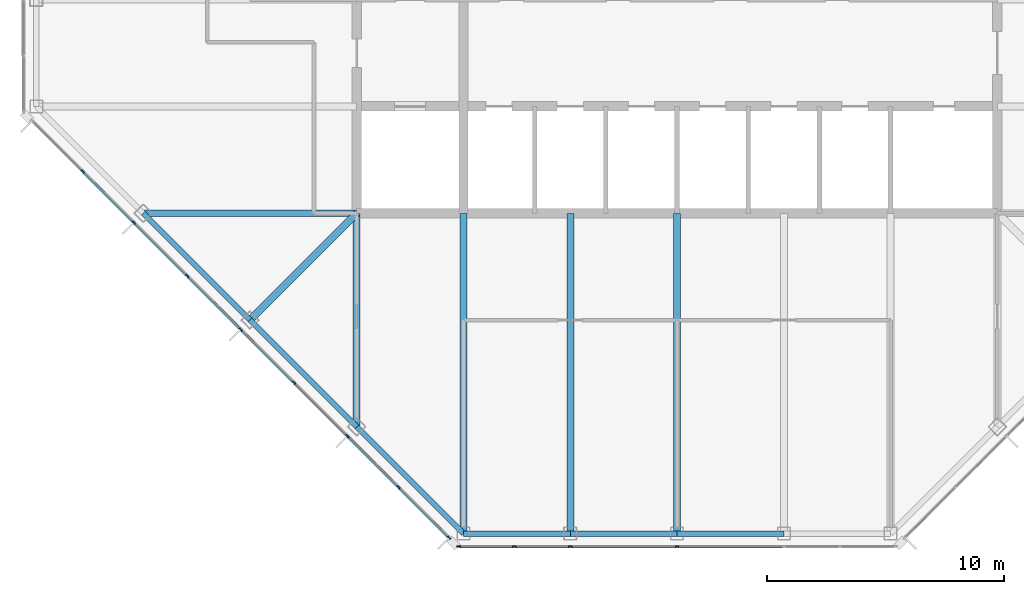
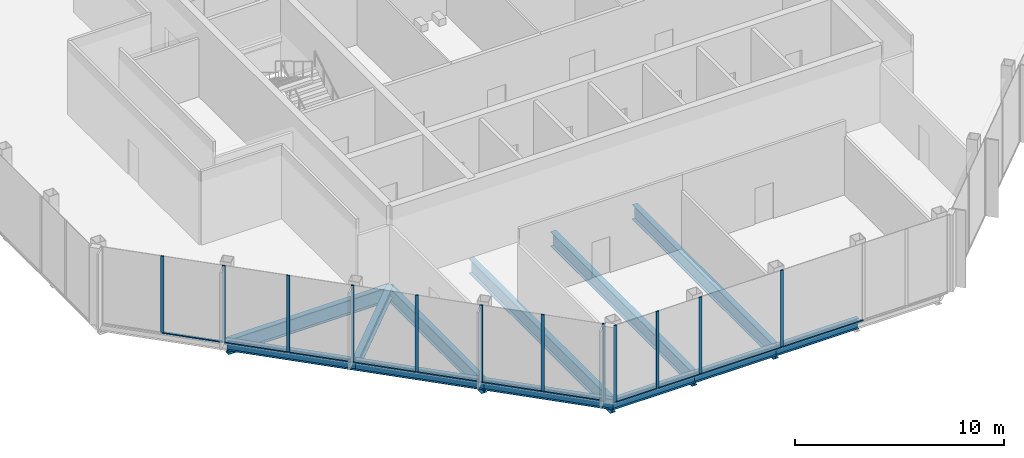
# One storey, part 2 of 13: 23 members, 12 beams, 2 elements without a shape of their own.
"""IFC4 building model written with IfcOpenShell, lengths in metres."""

from ifc_helpers import new_model, si_unit, direction, frame, origin, origin_2d, place, context, subcontext, project, spatial, rectangle, i_section, extrude, material, material_profile, profile_set, type_object, element, aggregate, save


model = new_model("IFC4")

# Units and contexts
model_context = context("Model", 3, precision=1e-05, world=origin(), true_north=direction((0.0, 1.0)))
body_context = subcontext(model_context, "Body", "Model", "MODEL_VIEW")
ifc_project = project(units=[si_unit("LENGTHUNIT", "METRE"), si_unit("AREAUNIT", "SQUARE_METRE"), si_unit("VOLUMEUNIT", "CUBIC_METRE"), si_unit("PLANEANGLEUNIT", "RADIAN"), si_unit("MASSUNIT", "GRAM", prefix="KILO")], contexts=[model_context])

# Site, building, storey
site_placement = place(None, origin())
site = spatial("IfcSite", under=ifc_project, at=site_placement, CompositionType="ELEMENT")
building_placement = place(site_placement, origin())
building = spatial("IfcBuilding", under=site, at=building_placement, Name="Corais Broadcast Tower", CompositionType="ELEMENT")
storey_placement = place(building_placement, frame((0.0, 0.0, 310.60009765625)))
storey = spatial("IfcBuildingStorey", under=building, at=storey_placement, Name="L73", CompositionType="ELEMENT", Elevation=310.60009765625)

# Beams
ifc_material_1 = material(Name="Steel ASTM A572 Grade 50", Category="steel")
ifc_material_profile_1 = material_profile(ifc_material_1, i_section(OverallWidth=0.323974609375, OverallDepth=0.611083984375, WebThickness=0.0126953125, FlangeThickness=0.01904296875, at=origin_2d()), Name="W610x155")
ifc_profile_set_1 = profile_set([ifc_material_profile_1], Name="Steel ASTM A572 Grade 50")
beam_type_1 = type_object("IfcBeamType", Name="Corner diagonal W610x155", PredefinedType="BEAM", material=ifc_profile_set_1)
beam_1_placement = place(storey_placement, frame((9.0, 9.0, -0.465576171875), z_axis=(0.707106781187, 0.707106781187, 0.0), x_axis=(-0.707106781187, 0.707106781187, 0.0)))
element("IfcBeam", 1, at=beam_1_placement, inside=storey, type_object=beam_type_1, Name="B6 C/5 to D/6", PredefinedType="BEAM", context=body_context, shape_type="SweptSolid", body=[
    extrude(i_section(OverallWidth=0.323974609375, OverallDepth=0.611083984375, WebThickness=0.0126953125, FlangeThickness=0.01904296875, at=origin_2d()), origin(), (0.0, 0.0, 1.0), 6.364013671875),
])
ifc_material_2 = material(Name="Steel ASTM A572 Grade 50", Category="steel")
ifc_material_profile_2 = material_profile(ifc_material_2, i_section(OverallWidth=0.2939453125, OverallDepth=0.85107421875, WebThickness=0.01611328125, FlangeThickness=0.02685546875, at=origin_2d()), Name="W840x226")
ifc_profile_set_2 = profile_set([ifc_material_profile_2], Name="Steel ASTM A572 Grade 50")
beam_type_2 = type_object("IfcBeamType", Name="Floor beam W840x226", PredefinedType="BEAM", material=ifc_profile_set_2)
beam_2_placement = place(storey_placement, frame((13.5, 4.5, -0.585693359375), z_axis=(0.0, 1.0, 0.0), x_axis=(-1.0, 0.0, 0.0)))
element("IfcBeam", 2, at=beam_2_placement, inside=storey, type_object=beam_type_2, Name="B1 B/6 to D/6", PredefinedType="BEAM", context=body_context, shape_type="SweptSolid", body=[
    extrude(i_section(OverallWidth=0.2939453125, OverallDepth=0.85107421875, WebThickness=0.01611328125, FlangeThickness=0.02685546875, at=origin_2d()), origin(), (0.0, 0.0, 1.0), 9.0),
])
for number, where, z_axis, x_axis, name in (
    (3, (18.0, 0.0, -0.585693359375), (0.0, 1.0, 0.0), (-1.0, 0.0, 0.0), "B1 A/7 to D/7"),
    (4, (22.5, 0.0, -0.585693359375), (0.0, 1.0, 0.0), (-1.0, 0.0, 0.0), "B1 A/8 to D/8"),
    (5, (27.0, 0.0, -0.585693359375), (0.0, 1.0, 0.0), (-1.0, 0.0, 0.0), "B1 A/9 to D/9"),
):
    element("IfcBeam", number, at=place(storey_placement, frame(where, z_axis=z_axis, x_axis=x_axis)), inside=storey, type_object=beam_type_2, Name=name, PredefinedType="BEAM", context=body_context, shape_type="SweptSolid", body=[
        extrude(i_section(OverallWidth=0.2939453125, OverallDepth=0.85107421875, WebThickness=0.01611328125, FlangeThickness=0.02685546875, at=origin_2d()), origin(), (0.0, 0.0, 1.0), 13.5),
    ])
beam_3_placement = place(storey_placement, frame((4.5, 13.5, -0.585693359375), z_axis=(1.0, 0.0, 0.0), x_axis=(0.0, 1.0, 0.0)))
element("IfcBeam", 6, at=beam_3_placement, inside=storey, type_object=beam_type_2, Name="B1 D/4 to D/6", PredefinedType="BEAM", context=body_context, shape_type="SweptSolid", body=[
    extrude(i_section(OverallWidth=0.2939453125, OverallDepth=0.85107421875, WebThickness=0.01611328125, FlangeThickness=0.02685546875, at=origin_2d()), origin(), (0.0, 0.0, 1.0), 9.0),
])

# Curtain wall, members
ifc_material_3 = material(Name="Aluminium and glass", Category="aluminium")
curtain_wall_type = type_object("IfcCurtainWallType", Name="Unitised fritted curtain wall CW3", PredefinedType="NOTDEFINED", material=ifc_material_3)
curtain_wall_1_placement = place(storey_placement, origin())
curtain_wall_1 = element("IfcCurtainWall", 7, at=curtain_wall_1_placement, inside=storey, type_object=curtain_wall_type, Name="CW3 curtain wall L73 1", PredefinedType="NOTDEFINED")
ifc_material_4 = material(Name="Aluminium 6063-T6", Category="aluminium")
ifc_material_profile_3 = material_profile(ifc_material_4, rectangle(XDim=0.06494140625, YDim=0.159912109375, at=origin_2d()), Name="Mullion CW3 65x160")
ifc_profile_set_3 = profile_set([ifc_material_profile_3], Name="Aluminium 6063-T6")
member_type_1 = type_object("IfcMemberType", Name="Mullion CW3 65x160", PredefinedType="MULLION", material=ifc_profile_set_3)
member_1_placement = place(storey_placement, frame((17.3955078125, -0.17333984375, 0.0), z_axis=(0.0, 0.0, 1.0), x_axis=(-0.707106781187, -0.707106781187, 0.0)))
member_1 = element("IfcMember", 8, at=member_1_placement, type_object=member_type_1, Name="CW3 mullion 1", PredefinedType="MULLION", context=body_context, shape_type="SweptSolid", body=[
    extrude(rectangle(XDim=0.06494140625, YDim=0.159912109375, at=origin_2d()), origin(), (0.0, 0.0, 1.0), 4.5),
])
member_2_placement = place(storey_placement, frame((15.264892578125, 1.957275390625, 0.0), z_axis=(0.0, 0.0, 1.0), x_axis=(-0.707106781187, -0.707106781187, 0.0)))
member_2 = element("IfcMember", 9, at=member_2_placement, type_object=member_type_1, Name="CW3 mullion 2", PredefinedType="MULLION", context=body_context, shape_type="SweptSolid", body=[
    extrude(rectangle(XDim=0.06494140625, YDim=0.159912109375, at=origin_2d()), origin(), (0.0, 0.0, 1.0), 4.5),
])
member_3_placement = place(storey_placement, frame((13.111083984375, 4.111083984375, 0.0), z_axis=(0.0, 0.0, 1.0), x_axis=(-0.707106781187, -0.707106781187, 0.0)))
member_3 = element("IfcMember", 10, at=member_3_placement, type_object=member_type_1, Name="CW3 mullion 3", PredefinedType="MULLION", context=body_context, shape_type="SweptSolid", body=[
    extrude(rectangle(XDim=0.06494140625, YDim=0.159912109375, at=origin_2d()), origin(), (0.0, 0.0, 1.0), 4.5),
])
member_4_placement = place(storey_placement, frame((10.861083984375, 6.361083984375, 0.0), z_axis=(0.0, 0.0, 1.0), x_axis=(-0.707106781187, -0.707106781187, 0.0)))
member_4 = element("IfcMember", 11, at=member_4_placement, type_object=member_type_1, Name="CW3 mullion 4", PredefinedType="MULLION", context=body_context, shape_type="SweptSolid", body=[
    extrude(rectangle(XDim=0.06494140625, YDim=0.159912109375, at=origin_2d()), origin(), (0.0, 0.0, 1.0), 4.5),
])
member_5_placement = place(storey_placement, frame((8.611083984375, 8.611083984375, 0.0), z_axis=(0.0, 0.0, 1.0), x_axis=(-0.707106781187, -0.707106781187, 0.0)))
member_5 = element("IfcMember", 12, at=member_5_placement, type_object=member_type_1, Name="CW3 mullion 5", PredefinedType="MULLION", context=body_context, shape_type="SweptSolid", body=[
    extrude(rectangle(XDim=0.06494140625, YDim=0.159912109375, at=origin_2d()), origin(), (0.0, 0.0, 1.0), 4.5),
])
member_6_placement = place(storey_placement, frame((6.361083984375, 10.861083984375, 0.0), z_axis=(0.0, 0.0, 1.0), x_axis=(-0.707106781187, -0.707106781187, 0.0)))
member_6 = element("IfcMember", 13, at=member_6_placement, type_object=member_type_1, Name="CW3 mullion 6", PredefinedType="MULLION", context=body_context, shape_type="SweptSolid", body=[
    extrude(rectangle(XDim=0.06494140625, YDim=0.159912109375, at=origin_2d()), origin(), (0.0, 0.0, 1.0), 4.5),
])
member_7_placement = place(storey_placement, frame((4.111083984375, 13.111083984375, 0.0), z_axis=(0.0, 0.0, 1.0), x_axis=(-0.707106781187, -0.707106781187, 0.0)))
member_7 = element("IfcMember", 14, at=member_7_placement, type_object=member_type_1, Name="CW3 mullion 7", PredefinedType="MULLION", context=body_context, shape_type="SweptSolid", body=[
    extrude(rectangle(XDim=0.06494140625, YDim=0.159912109375, at=origin_2d()), origin(), (0.0, 0.0, 1.0), 4.5),
])
member_8_placement = place(storey_placement, frame((1.957275390625, 15.264892578125, 0.0), z_axis=(0.0, 0.0, 1.0), x_axis=(-0.707106781187, -0.707106781187, 0.0)))
member_8 = element("IfcMember", 15, at=member_8_placement, type_object=member_type_1, Name="CW3 mullion 8", PredefinedType="MULLION", context=body_context, shape_type="SweptSolid", body=[
    extrude(rectangle(XDim=0.06494140625, YDim=0.159912109375, at=origin_2d()), origin(), (0.0, 0.0, 1.0), 4.5),
])

curtain_wall_2_placement = place(storey_placement, origin())
curtain_wall_2 = element("IfcCurtainWall", 16, at=curtain_wall_2_placement, inside=storey, type_object=curtain_wall_type, Name="CW3 curtain wall L73 8", PredefinedType="NOTDEFINED")
member_9_placement = place(storey_placement, frame((27.0, -0.550048828125, 0.0), z_axis=(0.0, 0.0, 1.0), x_axis=(0.0, -1.0, 0.0)))
member_9 = element("IfcMember", 17, at=member_9_placement, type_object=member_type_1, Name="CW3 mullion 4", PredefinedType="MULLION", context=body_context, shape_type="SweptSolid", body=[
    extrude(rectangle(XDim=0.06494140625, YDim=0.159912109375, at=origin_2d()), origin(), (0.0, 0.0, 1.0), 4.5),
])
member_10_placement = place(storey_placement, frame((22.5, -0.550048828125, 0.0), z_axis=(0.0, 0.0, 1.0), x_axis=(0.0, -1.0, 0.0)))
member_10 = element("IfcMember", 18, at=member_10_placement, type_object=member_type_1, Name="CW3 mullion 5", PredefinedType="MULLION", context=body_context, shape_type="SweptSolid", body=[
    extrude(rectangle(XDim=0.06494140625, YDim=0.159912109375, at=origin_2d()), origin(), (0.0, 0.0, 1.0), 4.5),
])
member_11_placement = place(storey_placement, frame((20.135986328125, -0.550048828125, 0.0), z_axis=(0.0, 0.0, 1.0), x_axis=(0.0, -1.0, 0.0)))
member_11 = element("IfcMember", 19, at=member_11_placement, type_object=member_type_1, Name="CW3 mullion 6", PredefinedType="MULLION", context=body_context, shape_type="SweptSolid", body=[
    extrude(rectangle(XDim=0.06494140625, YDim=0.159912109375, at=origin_2d()), origin(), (0.0, 0.0, 1.0), 4.5),
])
member_12_placement = place(storey_placement, frame((17.8046875, -0.550048828125, 0.0), z_axis=(0.0, 0.0, 1.0), x_axis=(0.0, -1.0, 0.0)))
member_12 = element("IfcMember", 20, at=member_12_placement, type_object=member_type_1, Name="CW3 mullion 7", PredefinedType="MULLION", context=body_context, shape_type="SweptSolid", body=[
    extrude(rectangle(XDim=0.06494140625, YDim=0.159912109375, at=origin_2d()), origin(), (0.0, 0.0, 1.0), 4.5),
])

# Beams
ifc_material_5 = material(Name="Steel ASTM A572 Grade 50", Category="steel")
ifc_material_profile_4 = material_profile(ifc_material_5, i_section(OverallWidth=0.22998046875, OverallDepth=0.616943359375, WebThickness=0.01318359375, FlangeThickness=0.022216796875, at=origin_2d()), Name="W610x140")
ifc_profile_set_4 = profile_set([ifc_material_profile_4], Name="Steel ASTM A572 Grade 50")
beam_type_3 = type_object("IfcBeamType", Name="Spandrel W610x140", PredefinedType="BEAM", material=ifc_profile_set_4)
beam_4_placement = place(storey_placement, frame((13.5, 4.5, -0.468505859375), z_axis=(0.707106781187, -0.707106781187, 0.0), x_axis=(0.707106781187, 0.707106781187, 0.0)))
element("IfcBeam", 21, at=beam_4_placement, inside=storey, type_object=beam_type_3, Name="SB3 B/6 to A/7", PredefinedType="BEAM", context=body_context, shape_type="SweptSolid", body=[
    extrude(i_section(OverallWidth=0.22998046875, OverallDepth=0.616943359375, WebThickness=0.01318359375, FlangeThickness=0.022216796875, at=origin_2d()), origin(), (0.0, 0.0, 1.0), 6.364013671875),
])
for number, where, z_axis, x_axis, name in (
    (22, (18.0, 0.0, -0.468505859375), (1.0, 0.0, 0.0), (0.0, 1.0, 0.0), "SB3 A/7 to A/8"),
    (23, (22.5, 0.0, -0.468505859375), (1.0, 0.0, 0.0), (0.0, 1.0, 0.0), "SB3 A/8 to A/9"),
    (24, (27.0, 0.0, -0.468505859375), (1.0, 0.0, 0.0), (0.0, 1.0, 0.0), "SB3 A/9 to A/10"),
):
    element("IfcBeam", number, at=place(storey_placement, frame(where, z_axis=z_axis, x_axis=x_axis)), inside=storey, type_object=beam_type_3, Name=name, PredefinedType="BEAM", context=body_context, shape_type="SweptSolid", body=[
        extrude(i_section(OverallWidth=0.22998046875, OverallDepth=0.616943359375, WebThickness=0.01318359375, FlangeThickness=0.022216796875, at=origin_2d()), origin(), (0.0, 0.0, 1.0), 4.5),
    ])
for number, where, z_axis, x_axis, name in (
    (25, (4.5, 13.5, -0.468505859375), (0.707106781187, -0.707106781187, 0.0), (0.707106781187, 0.707106781187, 0.0), "SB3 D/4 to C/5"),
    (26, (9.0, 9.0, -0.468505859375), (0.707106781187, -0.707106781187, 0.0), (0.707106781187, 0.707106781187, 0.0), "SB3 C/5 to B/6"),
):
    element("IfcBeam", number, at=place(storey_placement, frame(where, z_axis=z_axis, x_axis=x_axis)), inside=storey, type_object=beam_type_3, Name=name, PredefinedType="BEAM", context=body_context, shape_type="SweptSolid", body=[
        extrude(i_section(OverallWidth=0.22998046875, OverallDepth=0.616943359375, WebThickness=0.01318359375, FlangeThickness=0.022216796875, at=origin_2d()), origin(), (0.0, 0.0, 1.0), 6.364013671875),
    ])

# Member
ifc_material_6 = material(Name="Aluminium 6063-T6", Category="aluminium")
ifc_material_profile_5 = material_profile(ifc_material_6, rectangle(XDim=0.1201171875, YDim=0.06494140625, at=origin_2d()), Name="Transom CW3 65x120")
ifc_profile_set_5 = profile_set([ifc_material_profile_5], Name="Aluminium 6063-T6")
member_type_2 = type_object("IfcMemberType", Name="Transom CW3 65x120", PredefinedType="USERDEFINED", material=ifc_profile_set_5)
member_13_placement = place(storey_placement, frame((17.37255859375, -0.150390625, 0.032470703125), z_axis=(-0.707106781187, 0.707106781187, 0.0), x_axis=(-0.707106781187, -0.707106781187, 0.0)))
member_13 = element("IfcMember", 27, at=member_13_placement, type_object=member_type_2, Name="CW3 transom 1.1", ObjectType="TRANSOM", PredefinedType="USERDEFINED", context=body_context, shape_type="SweptSolid", body=[
    extrude(rectangle(XDim=0.1201171875, YDim=0.06494140625, at=origin_2d()), origin(), (0.0, 0.0, 1.0), 2.9482421875),
])

member_14_placement = place(storey_placement, frame((15.241943359375, 1.980224609375, 0.032470703125), z_axis=(-0.707106781187, 0.707106781187, 0.0), x_axis=(-0.707106781187, -0.707106781187, 0.0)))
member_14 = element("IfcMember", 28, at=member_14_placement, type_object=member_type_2, Name="CW3 transom 2.1", ObjectType="TRANSOM", PredefinedType="USERDEFINED", context=body_context, shape_type="SweptSolid", body=[
    extrude(rectangle(XDim=0.1201171875, YDim=0.06494140625, at=origin_2d()), origin(), (0.0, 0.0, 1.0), 2.98095703125),
])

member_15_placement = place(storey_placement, frame((13.088134765625, 4.134033203125, 0.032470703125), z_axis=(-0.707106781187, 0.707106781187, 0.0), x_axis=(-0.707106781187, -0.707106781187, 0.0)))
member_15 = element("IfcMember", 29, at=member_15_placement, type_object=member_type_2, Name="CW3 transom 3.1", ObjectType="TRANSOM", PredefinedType="USERDEFINED", context=body_context, shape_type="SweptSolid", body=[
    extrude(rectangle(XDim=0.1201171875, YDim=0.06494140625, at=origin_2d()), origin(), (0.0, 0.0, 1.0), 3.1171875),
])

member_16_placement = place(storey_placement, frame((10.838134765625, 6.384033203125, 0.032470703125), z_axis=(-0.707106781187, 0.707106781187, 0.0), x_axis=(-0.707106781187, -0.707106781187, 0.0)))
member_16 = element("IfcMember", 30, at=member_16_placement, type_object=member_type_2, Name="CW3 transom 4.1", ObjectType="TRANSOM", PredefinedType="USERDEFINED", context=body_context, shape_type="SweptSolid", body=[
    extrude(rectangle(XDim=0.1201171875, YDim=0.06494140625, at=origin_2d()), origin(), (0.0, 0.0, 1.0), 3.1171875),
])

member_17_placement = place(storey_placement, frame((8.588134765625, 8.634033203125, 0.032470703125), z_axis=(-0.707106781187, 0.707106781187, 0.0), x_axis=(-0.707106781187, -0.707106781187, 0.0)))
member_17 = element("IfcMember", 31, at=member_17_placement, type_object=member_type_2, Name="CW3 transom 5.1", ObjectType="TRANSOM", PredefinedType="USERDEFINED", context=body_context, shape_type="SweptSolid", body=[
    extrude(rectangle(XDim=0.1201171875, YDim=0.06494140625, at=origin_2d()), origin(), (0.0, 0.0, 1.0), 3.1171875),
])

member_18_placement = place(storey_placement, frame((6.338134765625, 10.884033203125, 0.032470703125), z_axis=(-0.707106781187, 0.707106781187, 0.0), x_axis=(-0.707106781187, -0.707106781187, 0.0)))
member_18 = element("IfcMember", 32, at=member_18_placement, type_object=member_type_2, Name="CW3 transom 6.1", ObjectType="TRANSOM", PredefinedType="USERDEFINED", context=body_context, shape_type="SweptSolid", body=[
    extrude(rectangle(XDim=0.1201171875, YDim=0.06494140625, at=origin_2d()), origin(), (0.0, 0.0, 1.0), 3.1171875),
])

member_19_placement = place(storey_placement, frame((4.088134765625, 13.134033203125, 0.032470703125), z_axis=(-0.707065828661, 0.70714773134, 0.0), x_axis=(-0.70714773134, -0.707065828661, 0.0)))
member_19 = element("IfcMember", 33, at=member_19_placement, type_object=member_type_2, Name="CW3 transom 7.1", ObjectType="TRANSOM", PredefinedType="USERDEFINED", context=body_context, shape_type="SweptSolid", body=[
    extrude(rectangle(XDim=0.1201171875, YDim=0.06494140625, at=origin_2d()), origin(), (0.0, 0.0, 1.0), 2.98095703125),
])

aggregate(curtain_wall_1, [member_1, member_2, member_3, member_4, member_5, member_6, member_7, member_8, member_13, member_14, member_15, member_16, member_17, member_18, member_19])

member_20_placement = place(storey_placement, frame((31.467529296875, -0.550048828125, 0.032470703125), z_axis=(-1.0, 0.0, 0.0), x_axis=(0.0, -1.0, 0.0)))
member_20 = element("IfcMember", 34, at=member_20_placement, type_object=member_type_2, Name="CW3 transom 3.1", ObjectType="TRANSOM", PredefinedType="USERDEFINED", context=body_context, shape_type="SweptSolid", body=[
    extrude(rectangle(XDim=0.1201171875, YDim=0.06494140625, at=origin_2d()), origin(), (0.0, 0.0, 1.0), 4.43505859375),
])

member_21_placement = place(storey_placement, frame((26.967529296875, -0.550048828125, 0.032470703125), z_axis=(-1.0, 0.0, 0.0), x_axis=(0.0, -1.0, 0.0)))
member_21 = element("IfcMember", 35, at=member_21_placement, type_object=member_type_2, Name="CW3 transom 4.1", ObjectType="TRANSOM", PredefinedType="USERDEFINED", context=body_context, shape_type="SweptSolid", body=[
    extrude(rectangle(XDim=0.1201171875, YDim=0.06494140625, at=origin_2d()), origin(), (0.0, 0.0, 1.0), 4.43505859375),
])

member_22_placement = place(storey_placement, frame((22.467529296875, -0.550048828125, 0.032470703125), z_axis=(-1.0, 0.0, 0.0), x_axis=(0.0, -1.0, 0.0)))
member_22 = element("IfcMember", 36, at=member_22_placement, type_object=member_type_2, Name="CW3 transom 5.1", ObjectType="TRANSOM", PredefinedType="USERDEFINED", context=body_context, shape_type="SweptSolid", body=[
    extrude(rectangle(XDim=0.1201171875, YDim=0.06494140625, at=origin_2d()), origin(), (0.0, 0.0, 1.0), 2.298828125),
])

member_23_placement = place(storey_placement, frame((20.103515625, -0.550048828125, 0.032470703125), z_axis=(-1.0, 0.0, 0.0), x_axis=(0.0, -1.0, 0.0)))
member_23 = element("IfcMember", 37, at=member_23_placement, type_object=member_type_2, Name="CW3 transom 6.1", ObjectType="TRANSOM", PredefinedType="USERDEFINED", context=body_context, shape_type="SweptSolid", body=[
    extrude(rectangle(XDim=0.1201171875, YDim=0.06494140625, at=origin_2d()), origin(), (0.0, 0.0, 1.0), 2.266357421875),
])

aggregate(curtain_wall_2, [member_9, member_10, member_11, member_12, member_20, member_21, member_22, member_23])

save(model, "model.ifc")
